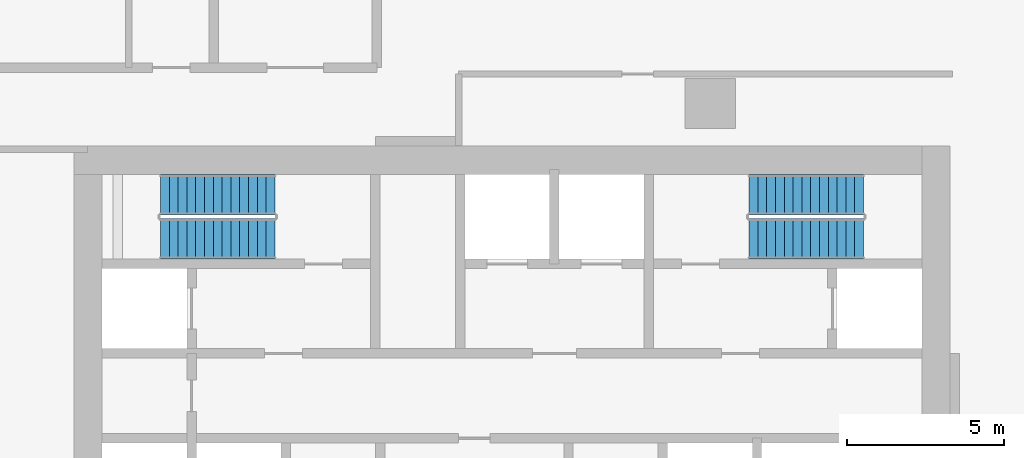
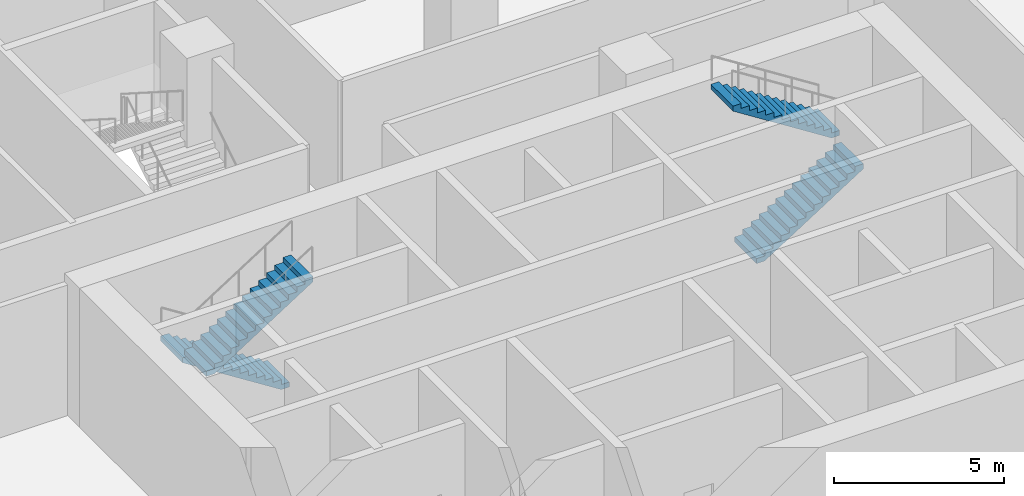
# One storey, part 17 of 35: 4 stair flights, 2 elements without a shape of their own.
"""IFC4 building model written with IfcOpenShell, lengths in metres."""

from ifc_helpers import new_model, si_unit, direction, frame, origin, place, context, subcontext, project, spatial, triangles, source, transform, mapped, material, type_object, element, aggregate, save


model = new_model("IFC4")

# Units and contexts
model_context = context("Model", 3, precision=1e-05, world=origin(), true_north=direction((0.0, 1.0)))
body_context = subcontext(model_context, "Body", "Model", "MODEL_VIEW")
ifc_project = project(units=[si_unit("LENGTHUNIT", "METRE"), si_unit("AREAUNIT", "SQUARE_METRE"), si_unit("VOLUMEUNIT", "CUBIC_METRE"), si_unit("PLANEANGLEUNIT", "RADIAN"), si_unit("MASSUNIT", "GRAM", prefix="KILO")], contexts=[model_context])

# Site, building, storey
site_placement = place(None, origin())
site = spatial("IfcSite", under=ifc_project, at=site_placement, CompositionType="ELEMENT")
building_placement = place(site_placement, origin())
building = spatial("IfcBuilding", under=site, at=building_placement, Name="Ogive Portal Towers", CompositionType="ELEMENT")
storey_placement = place(building_placement, frame((0.0, 0.0, 23.5)))
storey = spatial("IfcBuildingStorey", under=building, at=storey_placement, Name="L04", CompositionType="ELEMENT", Elevation=23.5)

# Stair, stair flights
ifc_material = material(Name="Concrete C40/50", Category="concrete")
stair_type = type_object("IfcStairType", Name="INT-STAIR", PredefinedType="HALF_TURN_STAIR", material=ifc_material)
stair_1_placement = place(storey_placement, origin())
stair_1 = element("IfcStair", 1, at=stair_1_placement, inside=storey, type_object=stair_type, Name="L04 Exit Stair ST-A1", PredefinedType="HALF_TURN_STAIR")
stair_flight_type = type_object("IfcStairFlightType", Name="INT-FLIGHT", PredefinedType="STRAIGHT", material=ifc_material)
shared_shape = source(origin(), body_context, "Body", "Tessellation", [
    triangles([(0.0, -0.650146484375, 0.0), (0.0, -0.376220703125, 0.0), (0.0, -0.192626953125, 0.0), (0.0, -0.081298828125, 0.0), (0.0, -0.024169921875, 0.0), (0.0, -0.003173828125, 0.0), (0.0, 0.0, 0.0), (0.0, 0.0029296875, 0.0), (0.0, 0.02392578125, 0.0), (0.0, 0.0810546875, 0.0), (0.0, 0.1923828125, 0.0), (0.0, 0.3759765625, 0.0), (0.0, 0.64990234375, 0.0), (0.0, -0.650146484375, 0.178466796875), (0.0, -0.376220703125, 0.178466796875), (0.0, -0.192626953125, 0.178466796875), (0.0, -0.081298828125, 0.178466796875), (0.0, -0.024169921875, 0.178466796875), (0.0, -0.003173828125, 0.178466796875), (0.0, 0.0, 0.178466796875), (0.0, 0.0029296875, 0.178466796875), (0.0, 0.02392578125, 0.178466796875), (0.0, 0.0810546875, 0.178466796875), (0.0, 0.1923828125, 0.178466796875), (0.0, 0.3759765625, 0.178466796875), (0.0, 0.64990234375, 0.178466796875), (0.280029296875, -0.650146484375, 0.178466796875), (0.280029296875, -0.376220703125, 0.178466796875), (0.280029296875, -0.192626953125, 0.178466796875), (0.280029296875, -0.081298828125, 0.178466796875), (0.280029296875, -0.024169921875, 0.178466796875), (0.280029296875, -0.003173828125, 0.178466796875), (0.280029296875, 0.0, 0.178466796875), (0.280029296875, 0.0029296875, 0.178466796875), (0.280029296875, 0.02392578125, 0.178466796875), (0.280029296875, 0.0810546875, 0.178466796875), (0.280029296875, 0.1923828125, 0.178466796875), (0.280029296875, 0.3759765625, 0.178466796875), (0.280029296875, 0.64990234375, 0.178466796875), (0.280029296875, -0.650146484375, 0.357177734375), (0.280029296875, -0.376220703125, 0.357177734375), (0.280029296875, -0.192626953125, 0.357177734375), (0.280029296875, -0.081298828125, 0.357177734375), (0.280029296875, -0.024169921875, 0.357177734375), (0.280029296875, -0.003173828125, 0.357177734375), (0.280029296875, 0.0, 0.357177734375), (0.280029296875, 0.0029296875, 0.357177734375), (0.280029296875, 0.02392578125, 0.357177734375), (0.280029296875, 0.0810546875, 0.357177734375), (0.280029296875, 0.1923828125, 0.357177734375), (0.280029296875, 0.3759765625, 0.357177734375), (0.280029296875, 0.64990234375, 0.357177734375), (0.56005859375, -0.650146484375, 0.357177734375), (0.56005859375, -0.376220703125, 0.357177734375), (0.56005859375, -0.192626953125, 0.357177734375), (0.56005859375, -0.081298828125, 0.357177734375), (0.56005859375, -0.024169921875, 0.357177734375), (0.56005859375, -0.003173828125, 0.357177734375), (0.56005859375, 0.0, 0.357177734375), (0.56005859375, 0.0029296875, 0.357177734375), (0.56005859375, 0.02392578125, 0.357177734375), (0.56005859375, 0.0810546875, 0.357177734375), (0.56005859375, 0.1923828125, 0.357177734375), (0.56005859375, 0.3759765625, 0.357177734375), (0.56005859375, 0.64990234375, 0.357177734375), (0.56005859375, -0.650146484375, 0.53564453125), (0.56005859375, -0.376220703125, 0.53564453125), (0.56005859375, -0.192626953125, 0.53564453125), (0.56005859375, -0.081298828125, 0.53564453125), (0.56005859375, -0.024169921875, 0.53564453125), (0.56005859375, -0.003173828125, 0.53564453125), (0.56005859375, 0.0, 0.53564453125), (0.56005859375, 0.0029296875, 0.53564453125), (0.56005859375, 0.02392578125, 0.53564453125), (0.56005859375, 0.0810546875, 0.53564453125), (0.56005859375, 0.1923828125, 0.53564453125), (0.56005859375, 0.3759765625, 0.53564453125), (0.56005859375, 0.64990234375, 0.53564453125), (0.840087890625, -0.650146484375, 0.53564453125), (0.840087890625, -0.376220703125, 0.53564453125), (0.840087890625, -0.192626953125, 0.53564453125), (0.840087890625, -0.081298828125, 0.53564453125), (0.840087890625, -0.024169921875, 0.53564453125), (0.840087890625, -0.003173828125, 0.53564453125), (0.840087890625, 0.0, 0.53564453125), (0.840087890625, 0.0029296875, 0.53564453125), (0.840087890625, 0.02392578125, 0.53564453125), (0.840087890625, 0.0810546875, 0.53564453125), (0.840087890625, 0.1923828125, 0.53564453125), (0.840087890625, 0.3759765625, 0.53564453125), (0.840087890625, 0.64990234375, 0.53564453125), (0.840087890625, -0.650146484375, 0.71435546875), (0.840087890625, -0.376220703125, 0.71435546875), (0.840087890625, -0.192626953125, 0.71435546875), (0.840087890625, -0.081298828125, 0.71435546875), (0.840087890625, -0.024169921875, 0.71435546875), (0.840087890625, -0.003173828125, 0.71435546875), (0.840087890625, 0.0, 0.71435546875), (0.840087890625, 0.0029296875, 0.71435546875), (0.840087890625, 0.02392578125, 0.71435546875), (0.840087890625, 0.0810546875, 0.71435546875), (0.840087890625, 0.1923828125, 0.71435546875), (0.840087890625, 0.3759765625, 0.71435546875), (0.840087890625, 0.64990234375, 0.71435546875), (1.1201171875, -0.650146484375, 0.71435546875), (1.1201171875, -0.376220703125, 0.71435546875), (1.1201171875, -0.192626953125, 0.71435546875), (1.1201171875, -0.081298828125, 0.71435546875), (1.1201171875, -0.024169921875, 0.71435546875), (1.1201171875, -0.003173828125, 0.71435546875), (1.1201171875, 0.0, 0.71435546875), (1.1201171875, 0.0029296875, 0.71435546875), (1.1201171875, 0.02392578125, 0.71435546875), (1.1201171875, 0.0810546875, 0.71435546875), (1.1201171875, 0.1923828125, 0.71435546875), (1.1201171875, 0.3759765625, 0.71435546875), (1.1201171875, 0.64990234375, 0.71435546875), (1.1201171875, -0.650146484375, 0.892822265625), (1.1201171875, -0.376220703125, 0.892822265625), (1.1201171875, -0.192626953125, 0.892822265625), (1.1201171875, -0.081298828125, 0.892822265625), (1.1201171875, -0.024169921875, 0.892822265625), (1.1201171875, -0.003173828125, 0.892822265625), (1.1201171875, 0.0, 0.892822265625), (1.1201171875, 0.0029296875, 0.892822265625), (1.1201171875, 0.02392578125, 0.892822265625), (1.1201171875, 0.0810546875, 0.892822265625), (1.1201171875, 0.1923828125, 0.892822265625), (1.1201171875, 0.3759765625, 0.892822265625), (1.1201171875, 0.64990234375, 0.892822265625), (1.39990234375, -0.650146484375, 0.892822265625), (1.39990234375, -0.376220703125, 0.892822265625), (1.39990234375, -0.192626953125, 0.892822265625), (1.39990234375, -0.081298828125, 0.892822265625), (1.39990234375, -0.024169921875, 0.892822265625), (1.39990234375, -0.003173828125, 0.892822265625), (1.39990234375, 0.0, 0.892822265625), (1.39990234375, 0.0029296875, 0.892822265625), (1.39990234375, 0.02392578125, 0.892822265625), (1.39990234375, 0.0810546875, 0.892822265625), (1.39990234375, 0.1923828125, 0.892822265625), (1.39990234375, 0.3759765625, 0.892822265625), (1.39990234375, 0.64990234375, 0.892822265625), (1.39990234375, -0.650146484375, 1.071533203125), (1.39990234375, -0.376220703125, 1.071533203125), (1.39990234375, -0.192626953125, 1.071533203125), (1.39990234375, -0.081298828125, 1.071533203125), (1.39990234375, -0.024169921875, 1.071533203125), (1.39990234375, -0.003173828125, 1.071533203125), (1.39990234375, 0.0, 1.071533203125), (1.39990234375, 0.0029296875, 1.071533203125), (1.39990234375, 0.02392578125, 1.071533203125), (1.39990234375, 0.0810546875, 1.071533203125), (1.39990234375, 0.1923828125, 1.071533203125), (1.39990234375, 0.3759765625, 1.071533203125), (1.39990234375, 0.64990234375, 1.071533203125), (1.679931640625, -0.650146484375, 1.071533203125), (1.679931640625, -0.376220703125, 1.071533203125), (1.679931640625, -0.192626953125, 1.071533203125), (1.679931640625, -0.081298828125, 1.071533203125), (1.679931640625, -0.024169921875, 1.071533203125), (1.679931640625, -0.003173828125, 1.071533203125), (1.679931640625, 0.0, 1.071533203125), (1.679931640625, 0.0029296875, 1.071533203125), (1.679931640625, 0.02392578125, 1.071533203125), (1.679931640625, 0.0810546875, 1.071533203125), (1.679931640625, 0.1923828125, 1.071533203125), (1.679931640625, 0.3759765625, 1.071533203125), (1.679931640625, 0.64990234375, 1.071533203125), (1.679931640625, -0.650146484375, 1.25), (1.679931640625, -0.376220703125, 1.25), (1.679931640625, -0.192626953125, 1.25), (1.679931640625, -0.081298828125, 1.25), (1.679931640625, -0.024169921875, 1.25), (1.679931640625, -0.003173828125, 1.25), (1.679931640625, 0.0, 1.25), (1.679931640625, 0.0029296875, 1.25), (1.679931640625, 0.02392578125, 1.25), (1.679931640625, 0.0810546875, 1.25), (1.679931640625, 0.1923828125, 1.25), (1.679931640625, 0.3759765625, 1.25), (1.679931640625, 0.64990234375, 1.25), (1.9599609375, -0.650146484375, 1.25), (1.9599609375, -0.376220703125, 1.25), (1.9599609375, -0.192626953125, 1.25), (1.9599609375, -0.081298828125, 1.25), (1.9599609375, -0.024169921875, 1.25), (1.9599609375, -0.003173828125, 1.25), (1.9599609375, 0.0, 1.25), (1.9599609375, 0.0029296875, 1.25), (1.9599609375, 0.02392578125, 1.25), (1.9599609375, 0.0810546875, 1.25), (1.9599609375, 0.1923828125, 1.25), (1.9599609375, 0.3759765625, 1.25), (1.9599609375, 0.64990234375, 1.25), (1.9599609375, -0.650146484375, 1.428466796875), (1.9599609375, -0.376220703125, 1.428466796875), (1.9599609375, -0.192626953125, 1.428466796875), (1.9599609375, -0.081298828125, 1.428466796875), (1.9599609375, -0.024169921875, 1.428466796875), (1.9599609375, -0.003173828125, 1.428466796875), (1.9599609375, 0.0, 1.428466796875), (1.9599609375, 0.0029296875, 1.428466796875), (1.9599609375, 0.02392578125, 1.428466796875), (1.9599609375, 0.0810546875, 1.428466796875), (1.9599609375, 0.1923828125, 1.428466796875), (1.9599609375, 0.3759765625, 1.428466796875), (1.9599609375, 0.64990234375, 1.428466796875), (2.239990234375, -0.650146484375, 1.428466796875), (2.239990234375, -0.376220703125, 1.428466796875), (2.239990234375, -0.192626953125, 1.428466796875), (2.239990234375, -0.081298828125, 1.428466796875), (2.239990234375, -0.024169921875, 1.428466796875), (2.239990234375, -0.003173828125, 1.428466796875), (2.239990234375, 0.0, 1.428466796875), (2.239990234375, 0.0029296875, 1.428466796875), (2.239990234375, 0.02392578125, 1.428466796875), (2.239990234375, 0.0810546875, 1.428466796875), (2.239990234375, 0.1923828125, 1.428466796875), (2.239990234375, 0.3759765625, 1.428466796875), (2.239990234375, 0.64990234375, 1.428466796875), (2.239990234375, -0.650146484375, 1.607177734375), (2.239990234375, -0.376220703125, 1.607177734375), (2.239990234375, -0.192626953125, 1.607177734375), (2.239990234375, -0.081298828125, 1.607177734375), (2.239990234375, -0.024169921875, 1.607177734375), (2.239990234375, -0.003173828125, 1.607177734375), (2.239990234375, 0.0, 1.607177734375), (2.239990234375, 0.0029296875, 1.607177734375), (2.239990234375, 0.02392578125, 1.607177734375), (2.239990234375, 0.0810546875, 1.607177734375), (2.239990234375, 0.1923828125, 1.607177734375), (2.239990234375, 0.3759765625, 1.607177734375), (2.239990234375, 0.64990234375, 1.607177734375), (2.52001953125, -0.650146484375, 1.607177734375), (2.52001953125, -0.376220703125, 1.607177734375), (2.52001953125, -0.192626953125, 1.607177734375), (2.52001953125, -0.081298828125, 1.607177734375), (2.52001953125, -0.024169921875, 1.607177734375), (2.52001953125, -0.003173828125, 1.607177734375), (2.52001953125, 0.0, 1.607177734375), (2.52001953125, 0.0029296875, 1.607177734375), (2.52001953125, 0.02392578125, 1.607177734375), (2.52001953125, 0.0810546875, 1.607177734375), (2.52001953125, 0.1923828125, 1.607177734375), (2.52001953125, 0.3759765625, 1.607177734375), (2.52001953125, 0.64990234375, 1.607177734375), (2.52001953125, -0.650146484375, 1.78564453125), (2.52001953125, -0.376220703125, 1.78564453125), (2.52001953125, -0.192626953125, 1.78564453125), (2.52001953125, -0.081298828125, 1.78564453125), (2.52001953125, -0.024169921875, 1.78564453125), (2.52001953125, -0.003173828125, 1.78564453125), (2.52001953125, 0.0, 1.78564453125), (2.52001953125, 0.0029296875, 1.78564453125), (2.52001953125, 0.02392578125, 1.78564453125), (2.52001953125, 0.0810546875, 1.78564453125), (2.52001953125, 0.1923828125, 1.78564453125), (2.52001953125, 0.3759765625, 1.78564453125), (2.52001953125, 0.64990234375, 1.78564453125), (2.800048828125, -0.650146484375, 1.78564453125), (2.800048828125, -0.376220703125, 1.78564453125), (2.800048828125, -0.192626953125, 1.78564453125), (2.800048828125, -0.081298828125, 1.78564453125), (2.800048828125, -0.024169921875, 1.78564453125), (2.800048828125, -0.003173828125, 1.78564453125), (2.800048828125, 0.0, 1.78564453125), (2.800048828125, 0.0029296875, 1.78564453125), (2.800048828125, 0.02392578125, 1.78564453125), (2.800048828125, 0.0810546875, 1.78564453125), (2.800048828125, 0.1923828125, 1.78564453125), (2.800048828125, 0.3759765625, 1.78564453125), (2.800048828125, 0.64990234375, 1.78564453125), (2.800048828125, -0.650146484375, 1.96435546875), (2.800048828125, -0.376220703125, 1.96435546875), (2.800048828125, -0.192626953125, 1.96435546875), (2.800048828125, -0.081298828125, 1.96435546875), (2.800048828125, -0.024169921875, 1.96435546875), (2.800048828125, -0.003173828125, 1.96435546875), (2.800048828125, 0.0, 1.96435546875), (2.800048828125, 0.0029296875, 1.96435546875), (2.800048828125, 0.02392578125, 1.96435546875), (2.800048828125, 0.0810546875, 1.96435546875), (2.800048828125, 0.1923828125, 1.96435546875), (2.800048828125, 0.3759765625, 1.96435546875), (2.800048828125, 0.64990234375, 1.96435546875), (3.080078125, -0.650146484375, 1.96435546875), (3.080078125, -0.376220703125, 1.96435546875), (3.080078125, -0.192626953125, 1.96435546875), (3.080078125, -0.081298828125, 1.96435546875), (3.080078125, -0.024169921875, 1.96435546875), (3.080078125, -0.003173828125, 1.96435546875), (3.080078125, 0.0, 1.96435546875), (3.080078125, 0.0029296875, 1.96435546875), (3.080078125, 0.02392578125, 1.96435546875), (3.080078125, 0.0810546875, 1.96435546875), (3.080078125, 0.1923828125, 1.96435546875), (3.080078125, 0.3759765625, 1.96435546875), (3.080078125, 0.64990234375, 1.96435546875), (3.080078125, -0.650146484375, 2.142822265625), (3.080078125, -0.376220703125, 2.142822265625), (3.080078125, -0.192626953125, 2.142822265625), (3.080078125, -0.081298828125, 2.142822265625), (3.080078125, -0.024169921875, 2.142822265625), (3.080078125, -0.003173828125, 2.142822265625), (3.080078125, 0.0, 2.142822265625), (3.080078125, 0.0029296875, 2.142822265625), (3.080078125, 0.02392578125, 2.142822265625), (3.080078125, 0.0810546875, 2.142822265625), (3.080078125, 0.1923828125, 2.142822265625), (3.080078125, 0.3759765625, 2.142822265625), (3.080078125, 0.64990234375, 2.142822265625), (3.360107421875, -0.650146484375, 2.142822265625), (3.360107421875, -0.376220703125, 2.142822265625), (3.360107421875, -0.192626953125, 2.142822265625), (3.360107421875, -0.081298828125, 2.142822265625), (3.360107421875, -0.024169921875, 2.142822265625), (3.360107421875, -0.003173828125, 2.142822265625), (3.360107421875, 0.0, 2.142822265625), (3.360107421875, 0.0029296875, 2.142822265625), (3.360107421875, 0.02392578125, 2.142822265625), (3.360107421875, 0.0810546875, 2.142822265625), (3.360107421875, 0.1923828125, 2.142822265625), (3.360107421875, 0.3759765625, 2.142822265625), (3.360107421875, 0.64990234375, 2.142822265625), (3.360107421875, -0.650146484375, 2.321533203125), (3.360107421875, -0.376220703125, 2.321533203125), (3.360107421875, -0.192626953125, 2.321533203125), (3.360107421875, -0.081298828125, 2.321533203125), (3.360107421875, -0.024169921875, 2.321533203125), (3.360107421875, -0.003173828125, 2.321533203125), (3.360107421875, 0.0, 2.321533203125), (3.360107421875, 0.0029296875, 2.321533203125), (3.360107421875, 0.02392578125, 2.321533203125), (3.360107421875, 0.0810546875, 2.321533203125), (3.360107421875, 0.1923828125, 2.321533203125), (3.360107421875, 0.3759765625, 2.321533203125), (3.360107421875, 0.64990234375, 2.321533203125), (3.639892578125, -0.650146484375, 2.321533203125), (3.639892578125, -0.376220703125, 2.321533203125), (3.639892578125, -0.192626953125, 2.321533203125), (3.639892578125, -0.081298828125, 2.321533203125), (3.639892578125, -0.024169921875, 2.321533203125), (3.639892578125, -0.003173828125, 2.321533203125), (3.639892578125, 0.0, 2.321533203125), (3.639892578125, 0.0029296875, 2.321533203125), (3.639892578125, 0.02392578125, 2.321533203125), (3.639892578125, 0.0810546875, 2.321533203125), (3.639892578125, 0.1923828125, 2.321533203125), (3.639892578125, 0.3759765625, 2.321533203125), (3.639892578125, 0.64990234375, 2.321533203125), (3.639892578125, -0.650146484375, 2.1435546875), (3.639892578125, -0.376220703125, 2.1435546875), (3.639892578125, -0.192626953125, 2.1435546875), (3.639892578125, -0.081298828125, 2.1435546875), (3.639892578125, -0.024169921875, 2.1435546875), (3.639892578125, -0.003173828125, 2.1435546875), (3.639892578125, 0.0, 2.1435546875), (3.639892578125, 0.0029296875, 2.1435546875), (3.639892578125, 0.02392578125, 2.1435546875), (3.639892578125, 0.0810546875, 2.1435546875), (3.639892578125, 0.1923828125, 2.1435546875), (3.639892578125, 0.3759765625, 2.1435546875), (3.639892578125, 0.64990234375, 2.1435546875), (0.27880859375, -0.650146484375, 0.0), (0.27880859375, -0.376220703125, 0.0), (0.27880859375, -0.192626953125, 0.0), (0.27880859375, -0.081298828125, 0.0), (0.27880859375, -0.024169921875, 0.0), (0.27880859375, -0.003173828125, 0.0), (0.27880859375, 0.0, 0.0), (0.27880859375, 0.0029296875, 0.0), (0.27880859375, 0.02392578125, 0.0), (0.27880859375, 0.0810546875, 0.0), (0.27880859375, 0.1923828125, 0.0), (0.27880859375, 0.3759765625, 0.0), (0.27880859375, 0.64990234375, 0.0)], [[1, 14, 15], [1, 15, 2], [2, 15, 16], [2, 16, 3], [3, 16, 17], [3, 17, 4], [4, 17, 18], [4, 18, 5], [5, 18, 19], [5, 19, 6], [6, 19, 20], [6, 20, 7], [7, 20, 21], [7, 21, 8], [8, 21, 22], [8, 22, 9], [9, 22, 23], [9, 23, 10], [10, 23, 24], [10, 24, 11], [11, 24, 25], [11, 25, 12], [12, 25, 26], [12, 26, 13], [14, 27, 28], [14, 28, 15], [15, 28, 29], [15, 29, 16], [16, 29, 30], [16, 30, 17], [17, 30, 31], [17, 31, 18], [18, 31, 32], [18, 32, 19], [19, 32, 33], [19, 33, 20], [20, 33, 34], [20, 34, 21], [21, 34, 35], [21, 35, 22], [22, 35, 36], [22, 36, 23], [23, 36, 37], [23, 37, 24], [24, 37, 38], [24, 38, 25], [25, 38, 39], [25, 39, 26], [27, 40, 41], [27, 41, 28], [28, 41, 42], [28, 42, 29], [29, 42, 43], [29, 43, 30], [30, 43, 44], [30, 44, 31], [31, 44, 45], [31, 45, 32], [32, 45, 46], [32, 46, 33], [33, 46, 47], [33, 47, 34], [34, 47, 48], [34, 48, 35], [35, 48, 49], [35, 49, 36], [36, 49, 50], [36, 50, 37], [37, 50, 51], [37, 51, 38], [38, 51, 52], [38, 52, 39], [40, 53, 54], [40, 54, 41], [41, 54, 55], [41, 55, 42], [42, 55, 56], [42, 56, 43], [43, 56, 57], [43, 57, 44], [44, 57, 58], [44, 58, 45], [45, 58, 59], [45, 59, 46], [46, 59, 60], [46, 60, 47], [47, 60, 61], [47, 61, 48], [48, 61, 62], [48, 62, 49], [49, 62, 63], [49, 63, 50], [50, 63, 64], [50, 64, 51], [51, 64, 65], [51, 65, 52], [53, 66, 67], [53, 67, 54], [54, 67, 68], [54, 68, 55], [55, 68, 69], [55, 69, 56], [56, 69, 70], [56, 70, 57], [57, 70, 71], [57, 71, 58], [58, 71, 72], [58, 72, 59], [59, 72, 73], [59, 73, 60], [60, 73, 74], [60, 74, 61], [61, 74, 75], [61, 75, 62], [62, 75, 76], [62, 76, 63], [63, 76, 77], [63, 77, 64], [64, 77, 78], [64, 78, 65], [66, 79, 80], [66, 80, 67], [67, 80, 81], [67, 81, 68], [68, 81, 82], [68, 82, 69], [69, 82, 83], [69, 83, 70], [70, 83, 84], [70, 84, 71], [71, 84, 85], [71, 85, 72], [72, 85, 86], [72, 86, 73], [73, 86, 87], [73, 87, 74], [74, 87, 88], [74, 88, 75], [75, 88, 89], [75, 89, 76], [76, 89, 90], [76, 90, 77], [77, 90, 91], [77, 91, 78], [79, 92, 93], [79, 93, 80], [80, 93, 94], [80, 94, 81], [81, 94, 95], [81, 95, 82], [82, 95, 96], [82, 96, 83], [83, 96, 97], [83, 97, 84], [84, 97, 98], [84, 98, 85], [85, 98, 99], [85, 99, 86], [86, 99, 100], [86, 100, 87], [87, 100, 101], [87, 101, 88], [88, 101, 102], [88, 102, 89], [89, 102, 103], [89, 103, 90], [90, 103, 104], [90, 104, 91], [92, 105, 106], [92, 106, 93], [93, 106, 107], [93, 107, 94], [94, 107, 108], [94, 108, 95], [95, 108, 109], [95, 109, 96], [96, 109, 110], [96, 110, 97], [97, 110, 111], [97, 111, 98], [98, 111, 112], [98, 112, 99], [99, 112, 113], [99, 113, 100], [100, 113, 114], [100, 114, 101], [101, 114, 115], [101, 115, 102], [102, 115, 116], [102, 116, 103], [103, 116, 117], [103, 117, 104], [105, 118, 119], [105, 119, 106], [106, 119, 120], [106, 120, 107], [107, 120, 121], [107, 121, 108], [108, 121, 122], [108, 122, 109], [109, 122, 123], [109, 123, 110], [110, 123, 124], [110, 124, 111], [111, 124, 125], [111, 125, 112], [112, 125, 126], [112, 126, 113], [113, 126, 127], [113, 127, 114], [114, 127, 128], [114, 128, 115], [115, 128, 129], [115, 129, 116], [116, 129, 130], [116, 130, 117], [118, 131, 132], [118, 132, 119], [119, 132, 133], [119, 133, 120], [120, 133, 134], [120, 134, 121], [121, 134, 135], [121, 135, 122], [122, 135, 136], [122, 136, 123], [123, 136, 137], [123, 137, 124], [124, 137, 138], [124, 138, 125], [125, 138, 139], [125, 139, 126], [126, 139, 140], [126, 140, 127], [127, 140, 141], [127, 141, 128], [128, 141, 142], [128, 142, 129], [129, 142, 143], [129, 143, 130], [131, 144, 145], [131, 145, 132], [132, 145, 146], [132, 146, 133], [133, 146, 147], [133, 147, 134], [134, 147, 148], [134, 148, 135], [135, 148, 149], [135, 149, 136], [136, 149, 150], [136, 150, 137], [137, 150, 151], [137, 151, 138], [138, 151, 152], [138, 152, 139], [139, 152, 153], [139, 153, 140], [140, 153, 154], [140, 154, 141], [141, 154, 155], [141, 155, 142], [142, 155, 156], [142, 156, 143], [144, 157, 158], [144, 158, 145], [145, 158, 159], [145, 159, 146], [146, 159, 160], [146, 160, 147], [147, 160, 161], [147, 161, 148], [148, 161, 162], [148, 162, 149], [149, 162, 163], [149, 163, 150], [150, 163, 164], [150, 164, 151], [151, 164, 165], [151, 165, 152], [152, 165, 166], [152, 166, 153], [153, 166, 167], [153, 167, 154], [154, 167, 168], [154, 168, 155], [155, 168, 169], [155, 169, 156], [157, 170, 171], [157, 171, 158], [158, 171, 172], [158, 172, 159], [159, 172, 173], [159, 173, 160], [160, 173, 174], [160, 174, 161], [161, 174, 175], [161, 175, 162], [162, 175, 176], [162, 176, 163], [163, 176, 177], [163, 177, 164], [164, 177, 178], [164, 178, 165], [165, 178, 179], [165, 179, 166], [166, 179, 180], [166, 180, 167], [167, 180, 181], [167, 181, 168], [168, 181, 182], [168, 182, 169], [170, 183, 184], [170, 184, 171], [171, 184, 185], [171, 185, 172], [172, 185, 186], [172, 186, 173], [173, 186, 187], [173, 187, 174], [174, 187, 188], [174, 188, 175], [175, 188, 189], [175, 189, 176], [176, 189, 190], [176, 190, 177], [177, 190, 191], [177, 191, 178], [178, 191, 192], [178, 192, 179], [179, 192, 193], [179, 193, 180], [180, 193, 194], [180, 194, 181], [181, 194, 195], [181, 195, 182], [183, 196, 197], [183, 197, 184], [184, 197, 198], [184, 198, 185], [185, 198, 199], [185, 199, 186], [186, 199, 200], [186, 200, 187], [187, 200, 201], [187, 201, 188], [188, 201, 202], [188, 202, 189], [189, 202, 203], [189, 203, 190], [190, 203, 204], [190, 204, 191], [191, 204, 205], [191, 205, 192], [192, 205, 206], [192, 206, 193], [193, 206, 207], [193, 207, 194], [194, 207, 208], [194, 208, 195], [196, 209, 210], [196, 210, 197], [197, 210, 211], [197, 211, 198], [198, 211, 212], [198, 212, 199], [199, 212, 213], [199, 213, 200], [200, 213, 214], [200, 214, 201], [201, 214, 215], [201, 215, 202], [202, 215, 216], [202, 216, 203], [203, 216, 217], [203, 217, 204], [204, 217, 218], [204, 218, 205], [205, 218, 219], [205, 219, 206], [206, 219, 220], [206, 220, 207], [207, 220, 221], [207, 221, 208], [209, 222, 223], [209, 223, 210], [210, 223, 224], [210, 224, 211], [211, 224, 225], [211, 225, 212], [212, 225, 226], [212, 226, 213], [213, 226, 227], [213, 227, 214], [214, 227, 228], [214, 228, 215], [215, 228, 229], [215, 229, 216], [216, 229, 230], [216, 230, 217], [217, 230, 231], [217, 231, 218], [218, 231, 232], [218, 232, 219], [219, 232, 233], [219, 233, 220], [220, 233, 234], [220, 234, 221], [222, 235, 236], [222, 236, 223], [223, 236, 237], [223, 237, 224], [224, 237, 238], [224, 238, 225], [225, 238, 239], [225, 239, 226], [226, 239, 240], [226, 240, 227], [227, 240, 241], [227, 241, 228], [228, 241, 242], [228, 242, 229], [229, 242, 243], [229, 243, 230], [230, 243, 244], [230, 244, 231], [231, 244, 245], [231, 245, 232], [232, 245, 246], [232, 246, 233], [233, 246, 247], [233, 247, 234], [235, 248, 249], [235, 249, 236], [236, 249, 250], [236, 250, 237], [237, 250, 251], [237, 251, 238], [238, 251, 252], [238, 252, 239], [239, 252, 253], [239, 253, 240], [240, 253, 254], [240, 254, 241], [241, 254, 255], [241, 255, 242], [242, 255, 256], [242, 256, 243], [243, 256, 257], [243, 257, 244], [244, 257, 258], [244, 258, 245], [245, 258, 259], [245, 259, 246], [246, 259, 260], [246, 260, 247], [248, 261, 262], [248, 262, 249], [249, 262, 263], [249, 263, 250], [250, 263, 264], [250, 264, 251], [251, 264, 265], [251, 265, 252], [252, 265, 266], [252, 266, 253], [253, 266, 267], [253, 267, 254], [254, 267, 268], [254, 268, 255], [255, 268, 269], [255, 269, 256], [256, 269, 270], [256, 270, 257], [257, 270, 271], [257, 271, 258], [258, 271, 272], [258, 272, 259], [259, 272, 273], [259, 273, 260], [261, 274, 275], [261, 275, 262], [262, 275, 276], [262, 276, 263], [263, 276, 277], [263, 277, 264], [264, 277, 278], [264, 278, 265], [265, 278, 279], [265, 279, 266], [266, 279, 280], [266, 280, 267], [267, 280, 281], [267, 281, 268], [268, 281, 282], [268, 282, 269], [269, 282, 283], [269, 283, 270], [270, 283, 284], [270, 284, 271], [271, 284, 285], [271, 285, 272], [272, 285, 286], [272, 286, 273], [274, 287, 288], [274, 288, 275], [275, 288, 289], [275, 289, 276], [276, 289, 290], [276, 290, 277], [277, 290, 291], [277, 291, 278], [278, 291, 292], [278, 292, 279], [279, 292, 293], [279, 293, 280], [280, 293, 294], [280, 294, 281], [281, 294, 295], [281, 295, 282], [282, 295, 296], [282, 296, 283], [283, 296, 297], [283, 297, 284], [284, 297, 298], [284, 298, 285], [285, 298, 299], [285, 299, 286], [287, 300, 301], [287, 301, 288], [288, 301, 302], [288, 302, 289], [289, 302, 303], [289, 303, 290], [290, 303, 304], [290, 304, 291], [291, 304, 305], [291, 305, 292], [292, 305, 306], [292, 306, 293], [293, 306, 307], [293, 307, 294], [294, 307, 308], [294, 308, 295], [295, 308, 309], [295, 309, 296], [296, 309, 310], [296, 310, 297], [297, 310, 311], [297, 311, 298], [298, 311, 312], [298, 312, 299], [300, 313, 314], [300, 314, 301], [301, 314, 315], [301, 315, 302], [302, 315, 316], [302, 316, 303], [303, 316, 317], [303, 317, 304], [304, 317, 318], [304, 318, 305], [305, 318, 319], [305, 319, 306], [306, 319, 320], [306, 320, 307], [307, 320, 321], [307, 321, 308], [308, 321, 322], [308, 322, 309], [309, 322, 323], [309, 323, 310], [310, 323, 324], [310, 324, 311], [311, 324, 325], [311, 325, 312], [313, 326, 327], [313, 327, 314], [314, 327, 328], [314, 328, 315], [315, 328, 329], [315, 329, 316], [316, 329, 330], [316, 330, 317], [317, 330, 331], [317, 331, 318], [318, 331, 332], [318, 332, 319], [319, 332, 333], [319, 333, 320], [320, 333, 334], [320, 334, 321], [321, 334, 335], [321, 335, 322], [322, 335, 336], [322, 336, 323], [323, 336, 337], [323, 337, 324], [324, 337, 338], [324, 338, 325], [326, 339, 340], [326, 340, 327], [327, 340, 341], [327, 341, 328], [328, 341, 342], [328, 342, 329], [329, 342, 343], [329, 343, 330], [330, 343, 344], [330, 344, 331], [331, 344, 345], [331, 345, 332], [332, 345, 346], [332, 346, 333], [333, 346, 347], [333, 347, 334], [334, 347, 348], [334, 348, 335], [335, 348, 349], [335, 349, 336], [336, 349, 350], [336, 350, 337], [337, 350, 351], [337, 351, 338], [339, 352, 353], [339, 353, 340], [340, 353, 354], [340, 354, 341], [341, 354, 355], [341, 355, 342], [342, 355, 356], [342, 356, 343], [343, 356, 357], [343, 357, 344], [344, 357, 358], [344, 358, 345], [345, 358, 359], [345, 359, 346], [346, 359, 360], [346, 360, 347], [347, 360, 361], [347, 361, 348], [348, 361, 362], [348, 362, 349], [349, 362, 363], [349, 363, 350], [350, 363, 364], [350, 364, 351], [352, 365, 366], [352, 366, 353], [353, 366, 367], [353, 367, 354], [354, 367, 368], [354, 368, 355], [355, 368, 369], [355, 369, 356], [356, 369, 370], [356, 370, 357], [357, 370, 371], [357, 371, 358], [358, 371, 372], [358, 372, 359], [359, 372, 373], [359, 373, 360], [360, 373, 374], [360, 374, 361], [361, 374, 375], [361, 375, 362], [362, 375, 376], [362, 376, 363], [363, 376, 377], [363, 377, 364], [365, 1, 2], [365, 2, 366], [366, 2, 3], [366, 3, 367], [367, 3, 4], [367, 4, 368], [368, 4, 5], [368, 5, 369], [369, 5, 6], [369, 6, 370], [370, 6, 7], [370, 7, 371], [371, 7, 8], [371, 8, 372], [372, 8, 9], [372, 9, 373], [373, 9, 10], [373, 10, 374], [374, 10, 11], [374, 11, 375], [375, 11, 12], [375, 12, 376], [376, 12, 13], [376, 13, 377], [1, 365, 352], [13, 364, 377], [352, 339, 326], [364, 338, 351], [352, 326, 313], [364, 325, 338], [313, 300, 287], [325, 299, 312], [352, 313, 287], [364, 299, 325], [287, 274, 261], [299, 273, 286], [352, 287, 261], [364, 273, 299], [261, 248, 235], [273, 247, 260], [352, 261, 235], [364, 247, 273], [235, 222, 209], [247, 221, 234], [352, 235, 209], [364, 221, 247], [209, 196, 183], [221, 195, 208], [352, 209, 183], [364, 195, 221], [183, 170, 157], [195, 169, 182], [352, 183, 157], [364, 169, 195], [157, 144, 131], [169, 143, 156], [352, 157, 131], [364, 143, 169], [131, 118, 105], [143, 117, 130], [352, 131, 105], [364, 117, 143], [105, 92, 79], [117, 91, 104], [352, 105, 79], [364, 91, 117], [79, 66, 53], [91, 65, 78], [352, 79, 53], [364, 65, 91], [53, 40, 27], [65, 39, 52], [352, 53, 27], [364, 39, 65], [1, 352, 27], [13, 39, 364], [27, 14, 1], [39, 13, 26]], closed=True),
])
stair_flight_1_placement = place(storey_placement, frame((37.449951171875, 38.39990234375, 0.0), z_axis=(0.0, 0.0, 1.0), x_axis=(-1.0, 0.0, 0.0)))
stair_flight_1 = element("IfcStairFlight", 2, at=stair_flight_1_placement, type_object=stair_flight_type, Name="ST-A1 flight 1", NumberOfRisers=14, NumberOfTreads=13, PredefinedType="STRAIGHT", RiserHeight=0.178571429, TreadLength=0.28, context=body_context, shape_type="MappedRepresentation", body=[
    mapped(shared_shape, transform((0.0, 0.0, 0.0), scale=1.0)),
])
stair_flight_2_placement = place(storey_placement, frame((33.81005859375, 37.0, 2.5), z_axis=(0.0, 0.0, 1.0), x_axis=(1.0, 0.0, 0.0)))
stair_flight_2 = element("IfcStairFlight", 3, at=stair_flight_2_placement, type_object=stair_flight_type, Name="ST-A1 flight 2", NumberOfRisers=14, NumberOfTreads=13, PredefinedType="STRAIGHT", RiserHeight=0.178571429, TreadLength=0.28, context=body_context, shape_type="MappedRepresentation", body=[
    mapped(shared_shape, transform((0.0, 0.0, 0.0), scale=1.0)),
])
aggregate(stair_1, [stair_flight_1, stair_flight_2])

stair_2_placement = place(storey_placement, origin())
stair_2 = element("IfcStair", 4, at=stair_2_placement, inside=storey, type_object=stair_type, Name="L04 Exit Stair ST-A2", PredefinedType="HALF_TURN_STAIR")
stair_flight_3_placement = place(storey_placement, frame((52.550048828125, 37.0, 0.0), z_axis=(0.0, 0.0, 1.0), x_axis=(1.0, 0.0, 0.0)))
stair_flight_3 = element("IfcStairFlight", 5, at=stair_flight_3_placement, type_object=stair_flight_type, Name="ST-A2 flight 1", NumberOfRisers=14, NumberOfTreads=13, PredefinedType="STRAIGHT", RiserHeight=0.178571429, TreadLength=0.28, context=body_context, shape_type="MappedRepresentation", body=[
    mapped(shared_shape, transform((0.0, 0.0, 0.0), scale=1.0)),
])
stair_flight_4_placement = place(storey_placement, frame((56.18994140625, 38.39990234375, 2.5), z_axis=(0.0, 0.0, 1.0), x_axis=(-1.0, 0.0, 0.0)))
stair_flight_4 = element("IfcStairFlight", 6, at=stair_flight_4_placement, type_object=stair_flight_type, Name="ST-A2 flight 2", NumberOfRisers=14, NumberOfTreads=13, PredefinedType="STRAIGHT", RiserHeight=0.178571429, TreadLength=0.28, context=body_context, shape_type="MappedRepresentation", body=[
    mapped(shared_shape, transform((0.0, 0.0, 0.0), scale=1.0)),
])
aggregate(stair_2, [stair_flight_3, stair_flight_4])

save(model, "model.ifc")
